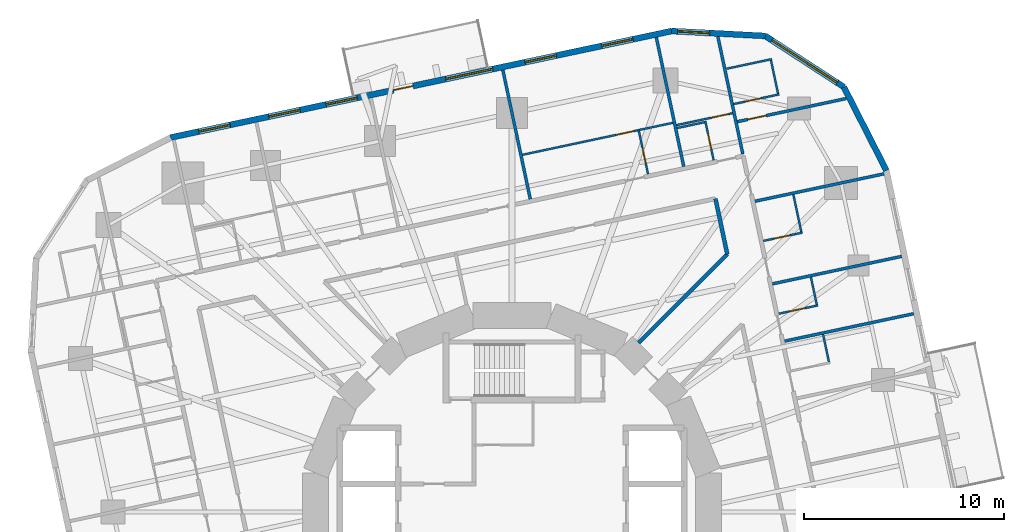
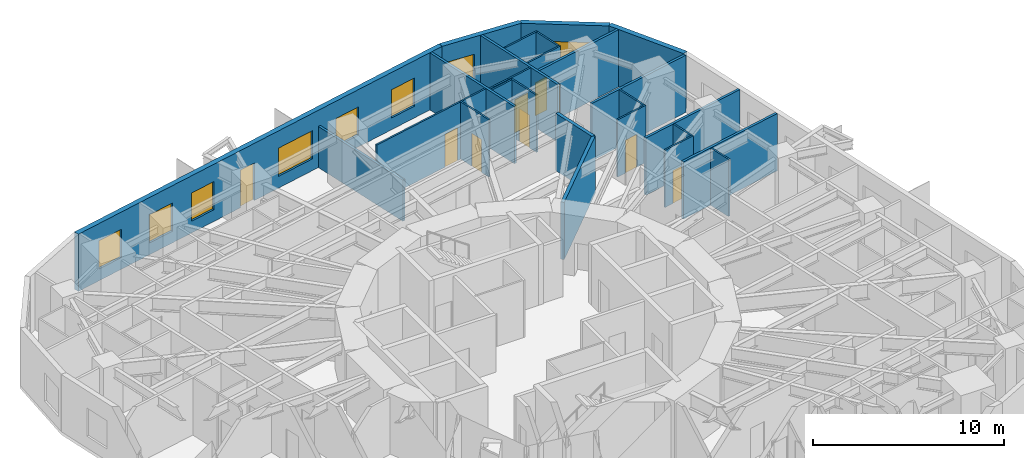
# One storey, part 11 of 14: 27 walls, 9 doors, 8 windows, 17 openings.
"""IFC4 building model written with IfcOpenShell, lengths in metres."""

from ifc_helpers import new_model, si_unit, direction, frame, frame_2d, origin, place, context, subcontext, project, spatial, rectangle, extrude, material, layer, layer_set, type_object, element, fill, save


model = new_model("IFC4")

# Units and contexts
model_context = context("Model", 3, precision=1e-05, world=origin(), true_north=direction((0.0, 1.0)))
body_context = subcontext(model_context, "Body", "Model", "MODEL_VIEW")
ifc_project = project(units=[si_unit("LENGTHUNIT", "METRE"), si_unit("AREAUNIT", "SQUARE_METRE"), si_unit("VOLUMEUNIT", "CUBIC_METRE"), si_unit("PLANEANGLEUNIT", "RADIAN"), si_unit("MASSUNIT", "GRAM", prefix="KILO")], contexts=[model_context])

# Site, building, storey
site_placement = place(None, origin())
site = spatial("IfcSite", under=ifc_project, at=site_placement, CompositionType="ELEMENT")
building_placement = place(site_placement, origin())
building = spatial("IfcBuilding", under=site, at=building_placement, Name="Nakasero Lantern House", CompositionType="ELEMENT")
storey_placement = place(building_placement, frame((0.0, 0.0, 120.39990234375)))
storey = spatial("IfcBuildingStorey", under=building, at=storey_placement, Name="L29", CompositionType="ELEMENT", Elevation=120.39990234375)

# Walls
ifc_material_1 = material(Name="Blockwork", Category="masonry")
ifc_layer_1 = layer(ifc_material_1, 0.199951171875)
ifc_layer_set_1 = layer_set([ifc_layer_1], Name="Corridor wall 200")
wall_type_1 = type_object("IfcWallType", Name="Corridor wall 200", PredefinedType="PARTITIONING", material=ifc_layer_set_1)
wall_1_placement = place(storey_placement, frame((10.75732421875, 12.878662109375, 0.0), z_axis=(0.0, 0.0, 1.0), x_axis=(-0.207908116695, 0.97814836043, 0.0)))
element("IfcWall", 1, at=wall_1_placement, inside=storey, type_object=wall_type_1, Name="Corridor wall L29 IW0-1", PredefinedType="PARTITIONING", context=body_context, shape_type="SweptSolid", body=[
    extrude(rectangle(XDim=2.83935546875, YDim=0.199951171875, at=frame_2d((1.419677734375, 0.0))), origin(), (0.0, 0.0, 1.0), 3.650146484375),
])
wall_2_placement = place(storey_placement, frame((6.334228515625, 8.45556640625, 0.0), z_axis=(0.0, 0.0, 1.0), x_axis=(0.707106781187, 0.707106781187, 0.0)))
element("IfcWall", 2, at=wall_2_placement, inside=storey, type_object=wall_type_1, Name="Corridor wall L29 PS02a", PredefinedType="PARTITIONING", context=body_context, shape_type="SweptSolid", body=[
    extrude(rectangle(XDim=6.255126953125, YDim=0.199951171875, at=frame_2d((3.12744140625, 0.0))), origin(), (0.0, 0.0, 1.0), 3.650146484375),
])
ifc_material_2 = material(Name="Blockwork", Category="masonry")
ifc_layer_2 = layer(ifc_material_2, 0.10009765625)
ifc_layer_set_2 = layer_set([ifc_layer_2], Name="En-suite wall 100")
wall_type_2 = type_object("IfcWallType", Name="En-suite wall 100", PredefinedType="PARTITIONING", material=ifc_layer_set_2)
wall_3_placement = place(storey_placement, frame((15.836669921875, 7.50048828125, 0.0), z_axis=(0.0, 0.0, 1.0), x_axis=(-0.207873355681, 0.978155748334, 0.0)))
element("IfcWall", 3, at=wall_3_placement, inside=storey, type_object=wall_type_2, Name="En-suite wall L29 EE0-05", PredefinedType="PARTITIONING", context=body_context, shape_type="SweptSolid", body=[
    extrude(rectangle(XDim=1.39990234375, YDim=0.10009765625, at=frame_2d((0.699951171875, 0.0))), origin(), (0.0, 0.0, 1.0), 3.650146484375),
])

# Wall, opening, door
wall_4_placement = place(storey_placement, frame((13.331298828125, 9.908447265625, 0.0), z_axis=(0.0, 0.0, 1.0), x_axis=(0.978128127149, 0.208003285743, 0.0)))
wall_4 = element("IfcWall", 4, at=wall_4_placement, inside=storey, type_object=wall_type_2, Name="En-suite wall L29 ES0-06", PredefinedType="PARTITIONING", context=body_context, shape_type="SweptSolid", body=[
    extrude(rectangle(XDim=2.0, YDim=0.10009765625, at=frame_2d((1.0, 0.0))), origin(), (0.0, 0.0, 1.0), 3.650146484375),
])
opening_1_placement = place(wall_4_placement, frame((0.550048828125, 0.0, 0.0)))
opening_1 = element("IfcOpeningElement", 5, at=opening_1_placement, cuts=wall_4, Name="Opening D02", PredefinedType="OPENING", context=body_context, shape_type="SweptSolid", body=[
    extrude(rectangle(XDim=0.800048828125, YDim=2.10009765625, at=frame_2d((0.39990234375, 1.050048828125))), frame((0.0, 0.070068359375, 0.0), z_axis=(0.0, -1.0, 0.0), x_axis=(1.0, 0.0, 0.0)), (0.0, 0.0, 1.0), 0.14013671875),
])
ifc_material_3 = material(Name="Timber C24", Category="wood")
door_type_1 = type_object("IfcDoorType", Name="En-suite door 800", OperationType="SINGLE_SWING_RIGHT", PredefinedType="DOOR", material=ifc_material_3)
door_1_placement = place(opening_1_placement, origin())
door_1 = element("IfcDoor", 6, at=door_1_placement, inside=storey, type_object=door_type_1, Name="Door L29 DE0-06", OperationType="SINGLE_SWING_LEFT", OverallHeight=2.10009765625, OverallWidth=0.800048828125, PredefinedType="DOOR", context=body_context, shape_type="SweptSolid", body=[
    extrude(rectangle(XDim=0.800048828125, YDim=2.10009765625, at=frame_2d((0.39990234375, 1.050048828125))), frame((0.0, 0.02490234375, 0.0), z_axis=(0.0, -1.0, 0.0), x_axis=(1.0, 0.0, 0.0)), (0.0, 0.0, 1.0), 0.050048828125),
])
fill(opening_1, door_1)

# Wall
wall_5_placement = place(storey_placement, frame((15.228271484375, 10.36279296875, 0.0), z_axis=(0.0, 0.0, 1.0), x_axis=(-0.207873355681, 0.978155748334, 0.0)))
element("IfcWall", 7, at=wall_5_placement, inside=storey, type_object=wall_type_2, Name="En-suite wall L29 EE0-06", PredefinedType="PARTITIONING", context=body_context, shape_type="SweptSolid", body=[
    extrude(rectangle(XDim=1.39990234375, YDim=0.10009765625, at=frame_2d((0.699951171875, 0.0))), origin(), (0.0, 0.0, 1.0), 3.650146484375),
])

# Wall, opening, door
wall_6_placement = place(storey_placement, frame((12.55810546875, 13.54541015625, 0.0), z_axis=(0.0, 0.0, 1.0), x_axis=(0.978152955943, 0.207886494942, 0.0)))
wall_6 = element("IfcWall", 8, at=wall_6_placement, inside=storey, type_object=wall_type_2, Name="En-suite wall L29 ES0-07", PredefinedType="PARTITIONING", context=body_context, shape_type="SweptSolid", body=[
    extrude(rectangle(XDim=2.0, YDim=0.10009765625, at=frame_2d((1.0, 0.0))), origin(), (0.0, 0.0, 1.0), 3.650146484375),
])
opening_2_placement = place(wall_6_placement, frame((0.550048828125, 0.0, 0.0)))
opening_2 = element("IfcOpeningElement", 9, at=opening_2_placement, cuts=wall_6, Name="Opening D02", PredefinedType="OPENING", context=body_context, shape_type="SweptSolid", body=[
    extrude(rectangle(XDim=0.800048828125, YDim=2.10009765625, at=frame_2d((0.39990234375, 1.050048828125))), frame((0.0, 0.070068359375, 0.0), z_axis=(0.0, -1.0, 0.0), x_axis=(1.0, 0.0, 0.0)), (0.0, 0.0, 1.0), 0.14013671875),
])
door_2_placement = place(opening_2_placement, origin())
door_2 = element("IfcDoor", 10, at=door_2_placement, inside=storey, type_object=door_type_1, Name="Door L29 DE0-07", OperationType="SINGLE_SWING_LEFT", OverallHeight=2.10009765625, OverallWidth=0.800048828125, PredefinedType="DOOR", context=body_context, shape_type="SweptSolid", body=[
    extrude(rectangle(XDim=0.800048828125, YDim=2.10009765625, at=frame_2d((0.39990234375, 1.050048828125))), frame((0.0, 0.02490234375, 0.0), z_axis=(0.0, -1.0, 0.0), x_axis=(1.0, 0.0, 0.0)), (0.0, 0.0, 1.0), 0.050048828125),
])
fill(opening_2, door_2)

# Wall
wall_7_placement = place(storey_placement, frame((14.455078125, 13.999755859375, 0.0), z_axis=(0.0, 0.0, 1.0), x_axis=(-0.207914082431, 0.978147092378, 0.0)))
element("IfcWall", 11, at=wall_7_placement, inside=storey, type_object=wall_type_2, Name="En-suite wall L29 EE0-07", PredefinedType="PARTITIONING", context=body_context, shape_type="SweptSolid", body=[
    extrude(rectangle(XDim=1.89990234375, YDim=0.10009765625, at=frame_2d((0.949951171875, 0.0))), origin(), (0.0, 0.0, 1.0), 3.650146484375),
])

# Wall, opening, door
wall_8_placement = place(storey_placement, frame((11.069091796875, 20.382568359375, 0.0), z_axis=(0.0, 0.0, 1.0), x_axis=(0.978136257952, 0.207965047255, 0.0)))
wall_8 = element("IfcWall", 12, at=wall_8_placement, inside=storey, type_object=wall_type_2, Name="En-suite wall L29 ES0-08", PredefinedType="PARTITIONING", context=body_context, shape_type="SweptSolid", body=[
    extrude(rectangle(XDim=2.3349609375, YDim=0.10009765625, at=frame_2d((1.16748046875, 0.0))), origin(), (0.0, 0.0, 1.0), 3.650146484375),
])
opening_3_placement = place(wall_8_placement, frame((0.5849609375, 0.0, 0.0)))
opening_3 = element("IfcOpeningElement", 13, at=opening_3_placement, cuts=wall_8, Name="Opening D02", PredefinedType="OPENING", context=body_context, shape_type="SweptSolid", body=[
    extrude(rectangle(XDim=0.800048828125, YDim=2.10009765625, at=frame_2d((0.39990234375, 1.050048828125))), frame((0.0, 0.070068359375, 0.0), z_axis=(0.0, -1.0, 0.0), x_axis=(1.0, 0.0, 0.0)), (0.0, 0.0, 1.0), 0.14013671875),
])
door_3_placement = place(opening_3_placement, origin())
door_3 = element("IfcDoor", 14, at=door_3_placement, inside=storey, type_object=door_type_1, Name="Door L29 DE0-08", OperationType="SINGLE_SWING_LEFT", OverallHeight=2.10009765625, OverallWidth=0.800048828125, PredefinedType="DOOR", context=body_context, shape_type="SweptSolid", body=[
    extrude(rectangle(XDim=0.800048828125, YDim=2.10009765625, at=frame_2d((0.39990234375, 1.050048828125))), frame((0.0, 0.02490234375, 0.0), z_axis=(0.0, -1.0, 0.0), x_axis=(1.0, 0.0, 0.0)), (0.0, 0.0, 1.0), 0.050048828125),
])
fill(opening_3, door_3)

# Walls
wall_9_placement = place(storey_placement, frame((13.293701171875, 20.906494140625, 0.0), z_axis=(0.0, 0.0, 1.0), x_axis=(-0.207812379357, 0.978168704767, 0.0)))
element("IfcWall", 15, at=wall_9_placement, inside=storey, type_object=wall_type_2, Name="En-suite wall L29 EE0-08", PredefinedType="PARTITIONING", context=body_context, shape_type="SweptSolid", body=[
    extrude(rectangle(XDim=1.699951171875, YDim=0.10009765625, at=frame_2d((0.85009765625, 0.0))), origin(), (0.0, 0.0, 1.0), 3.650146484375),
])
wall_10_placement = place(storey_placement, frame((10.72900390625, 22.150634765625, 0.0), z_axis=(0.0, 0.0, 1.0), x_axis=(0.978162897375, 0.207839712757, 0.0)))
element("IfcWall", 16, at=wall_10_placement, inside=storey, type_object=wall_type_2, Name="En-suite wall L29 EV0-08", PredefinedType="PARTITIONING", context=body_context, shape_type="SweptSolid", body=[
    extrude(rectangle(XDim=2.300048828125, YDim=0.10009765625, at=frame_2d((1.14990234375, 0.0))), origin(), (0.0, 0.0, 1.0), 3.650146484375),
])

# Wall, opening, door
wall_11_placement = place(storey_placement, frame((10.07421875, 17.57861328125, 0.0), z_axis=(0.0, 0.0, 1.0), x_axis=(-0.207886494942, 0.978152955943, 0.0)))
wall_11 = element("IfcWall", 17, at=wall_11_placement, inside=storey, type_object=wall_type_2, Name="En-suite wall L29 ES1-00", PredefinedType="PARTITIONING", context=body_context, shape_type="SweptSolid", body=[
    extrude(rectangle(XDim=2.0, YDim=0.10009765625, at=frame_2d((1.0, 0.0))), origin(), (0.0, 0.0, 1.0), 3.650146484375),
])
opening_4_placement = place(wall_11_placement, frame((0.550048828125, 0.0, 0.0)))
opening_4 = element("IfcOpeningElement", 18, at=opening_4_placement, cuts=wall_11, Name="Opening D02", PredefinedType="OPENING", context=body_context, shape_type="SweptSolid", body=[
    extrude(rectangle(XDim=0.800048828125, YDim=2.10009765625, at=frame_2d((0.39990234375, 1.050048828125))), frame((0.0, 0.070068359375, 0.0), z_axis=(0.0, -1.0, 0.0), x_axis=(1.0, 0.0, 0.0)), (0.0, 0.0, 1.0), 0.14013671875),
])
door_4_placement = place(opening_4_placement, origin())
door_4 = element("IfcDoor", 19, at=door_4_placement, inside=storey, type_object=door_type_1, Name="Door L29 DE1-00", OperationType="SINGLE_SWING_LEFT", OverallHeight=2.10009765625, OverallWidth=0.800048828125, PredefinedType="DOOR", context=body_context, shape_type="SweptSolid", body=[
    extrude(rectangle(XDim=0.800048828125, YDim=2.10009765625, at=frame_2d((0.39990234375, 1.050048828125))), frame((0.0, 0.02490234375, 0.0), z_axis=(0.0, -1.0, 0.0), x_axis=(1.0, 0.0, 0.0)), (0.0, 0.0, 1.0), 0.050048828125),
])
fill(opening_4, door_4)

# Wall
wall_12_placement = place(storey_placement, frame((9.619873046875, 19.4755859375, 0.0), z_axis=(0.0, 0.0, 1.0), x_axis=(-0.978155748334, -0.207873355681, 0.0)))
element("IfcWall", 20, at=wall_12_placement, inside=storey, type_object=wall_type_2, Name="En-suite wall L29 EE1-00", PredefinedType="PARTITIONING", context=body_context, shape_type="SweptSolid", body=[
    extrude(rectangle(XDim=1.39990234375, YDim=0.10009765625, at=frame_2d((0.699951171875, 0.0))), origin(), (0.0, 0.0, 1.0), 3.650146484375),
])

# Wall, opening, door
wall_13_placement = place(storey_placement, frame((6.79736328125, 16.882080078125, 0.0), z_axis=(0.0, 0.0, 1.0), x_axis=(-0.207839712757, 0.978162897375, 0.0)))
wall_13 = element("IfcWall", 21, at=wall_13_placement, inside=storey, type_object=wall_type_2, Name="En-suite wall L29 ES1-01", PredefinedType="PARTITIONING", context=body_context, shape_type="SweptSolid", body=[
    extrude(rectangle(XDim=2.300048828125, YDim=0.10009765625, at=frame_2d((1.14990234375, 0.0))), origin(), (0.0, 0.0, 1.0), 3.650146484375),
])
opening_5_placement = place(wall_13_placement, frame((0.550048828125, 0.0, 0.0)))
opening_5 = element("IfcOpeningElement", 22, at=opening_5_placement, cuts=wall_13, Name="Opening D02", PredefinedType="OPENING", context=body_context, shape_type="SweptSolid", body=[
    extrude(rectangle(XDim=0.800048828125, YDim=2.10009765625, at=frame_2d((0.39990234375, 1.050048828125))), frame((0.0, 0.070068359375, 0.0), z_axis=(0.0, -1.0, 0.0), x_axis=(1.0, 0.0, 0.0)), (0.0, 0.0, 1.0), 0.14013671875),
])
door_5_placement = place(opening_5_placement, origin())
door_5 = element("IfcDoor", 23, at=door_5_placement, inside=storey, type_object=door_type_1, Name="Door L29 DE1-01", OperationType="SINGLE_SWING_LEFT", OverallHeight=2.10009765625, OverallWidth=0.800048828125, PredefinedType="DOOR", context=body_context, shape_type="SweptSolid", body=[
    extrude(rectangle(XDim=0.800048828125, YDim=2.10009765625, at=frame_2d((0.39990234375, 1.050048828125))), frame((0.0, 0.02490234375, 0.0), z_axis=(0.0, -1.0, 0.0), x_axis=(1.0, 0.0, 0.0)), (0.0, 0.0, 1.0), 0.050048828125),
])
fill(opening_5, door_5)

# Wall
wall_14_placement = place(storey_placement, frame((8.041259765625, 19.44677734375, 0.0), z_axis=(0.0, 0.0, 1.0), x_axis=(-0.978168704767, -0.207812379357, 0.0)))
element("IfcWall", 24, at=wall_14_placement, inside=storey, type_object=wall_type_2, Name="En-suite wall L29 EE1-01", PredefinedType="PARTITIONING", context=body_context, shape_type="SweptSolid", body=[
    extrude(rectangle(XDim=1.699951171875, YDim=0.10009765625, at=frame_2d((0.85009765625, 0.0))), origin(), (0.0, 0.0, 1.0), 3.650146484375),
])

# Wall, opening, door
wall_15_placement = place(storey_placement, frame((11.022705078125, 19.92724609375, 0.0), z_axis=(0.0, 0.0, 1.0), x_axis=(-0.978143910676, -0.207929050419, 0.0)))
wall_15 = element("IfcWall", 25, at=wall_15_placement, inside=storey, type_object=wall_type_2, Name="En-suite wall L29 EL1-00", PredefinedType="PARTITIONING", context=body_context, shape_type="SweptSolid", body=[
    extrude(rectangle(XDim=2.8662109375, YDim=0.10009765625, at=frame_2d((1.43310546875, 0.0))), origin(), (0.0, 0.0, 1.0), 3.650146484375),
])
opening_6_placement = place(wall_15_placement, frame((0.199951171875, 0.0, 0.0)))
opening_6 = element("IfcOpeningElement", 26, at=opening_6_placement, cuts=wall_15, Name="Opening D17", PredefinedType="OPENING", context=body_context, shape_type="SweptSolid", body=[
    extrude(rectangle(XDim=0.89990234375, YDim=2.10009765625, at=frame_2d((0.449951171875, 1.050048828125))), frame((0.0, 0.070068359375, 0.0), z_axis=(0.0, -1.0, 0.0), x_axis=(1.0, 0.0, 0.0)), (0.0, 0.0, 1.0), 0.14013671875),
])
ifc_material_4 = material(Name="Timber C24", Category="wood")
door_type_2 = type_object("IfcDoorType", Name="Bedroom door FD30S 900", OperationType="SINGLE_SWING_LEFT", PredefinedType="DOOR", material=ifc_material_4)
door_6_placement = place(opening_6_placement, origin())
door_6 = element("IfcDoor", 27, at=door_6_placement, inside=storey, type_object=door_type_2, Name="Door L29 DL1-00", OperationType="SINGLE_SWING_LEFT", OverallHeight=2.10009765625, OverallWidth=0.89990234375, PredefinedType="DOOR", context=body_context, shape_type="SweptSolid", body=[
    extrude(rectangle(XDim=0.89990234375, YDim=2.10009765625, at=frame_2d((0.449951171875, 1.050048828125))), frame((0.0, 0.02490234375, 0.0), z_axis=(0.0, -1.0, 0.0), x_axis=(1.0, 0.0, 0.0)), (0.0, 0.0, 1.0), 0.050048828125),
])
fill(opening_6, door_6)

wall_16_placement = place(storey_placement, frame((6.28076171875, 19.072509765625, 0.0), z_axis=(0.0, 0.0, 1.0), x_axis=(-0.978149894464, -0.207900899374, 0.0)))
wall_16 = element("IfcWall", 28, at=wall_16_placement, inside=storey, type_object=wall_type_2, Name="En-suite wall L29 EL1-01", PredefinedType="PARTITIONING", context=body_context, shape_type="SweptSolid", body=[
    extrude(rectangle(XDim=5.88916015625, YDim=0.10009765625, at=frame_2d((2.944580078125, 0.0))), origin(), (0.0, 0.0, 1.0), 3.650146484375),
])
opening_7_placement = place(wall_16_placement, frame((0.199951171875, 0.0, 0.0)))
opening_7 = element("IfcOpeningElement", 29, at=opening_7_placement, cuts=wall_16, Name="Opening D17", PredefinedType="OPENING", context=body_context, shape_type="SweptSolid", body=[
    extrude(rectangle(XDim=0.89990234375, YDim=2.10009765625, at=frame_2d((0.449951171875, 1.050048828125))), frame((0.0, 0.070068359375, 0.0), z_axis=(0.0, -1.0, 0.0), x_axis=(1.0, 0.0, 0.0)), (0.0, 0.0, 1.0), 0.14013671875),
])
door_7_placement = place(opening_7_placement, origin())
door_7 = element("IfcDoor", 30, at=door_7_placement, inside=storey, type_object=door_type_2, Name="Door L29 DL1-01", OperationType="SINGLE_SWING_LEFT", OverallHeight=2.10009765625, OverallWidth=0.89990234375, PredefinedType="DOOR", context=body_context, shape_type="SweptSolid", body=[
    extrude(rectangle(XDim=0.89990234375, YDim=2.10009765625, at=frame_2d((0.449951171875, 1.050048828125))), frame((0.0, 0.02490234375, 0.0), z_axis=(0.0, -1.0, 0.0), x_axis=(1.0, 0.0, 0.0)), (0.0, 0.0, 1.0), 0.050048828125),
])
fill(opening_7, door_7)

# Wall
ifc_material_5 = material(Name="Aluminium rainscreen on blockwork", Category="masonry")
ifc_layer_3 = layer(ifc_material_5, 0.300048828125)
ifc_layer_set_3 = layer_set([ifc_layer_3], Name="Facade wall 300")
wall_type_3 = type_object("IfcWallType", Name="Facade wall 300", PredefinedType="SOLIDWALL", material=ifc_layer_set_3)
wall_17_placement = place(storey_placement, frame((18.711181640625, 17.063232421875, 0.0), z_axis=(0.0, 0.0, 1.0), x_axis=(-0.453975745332, 0.89101404178, 0.0)))
element("IfcWall", 31, at=wall_17_placement, inside=storey, type_object=wall_type_3, Name="Facade wall L29 FW0C1", PredefinedType="SOLIDWALL", context=body_context, shape_type="SweptSolid", body=[
    extrude(rectangle(XDim=4.6845703125, YDim=0.300048828125, at=frame_2d((2.34228515625, 0.0))), origin(), (0.0, 0.0, 1.0), 3.650146484375),
])

# Wall, opening, window
wall_18_placement = place(storey_placement, frame((16.58447265625, 21.2373046875, 0.0), z_axis=(0.0, 0.0, 1.0), x_axis=(-0.838692381994, 0.544605442853, 0.0)))
wall_18 = element("IfcWall", 32, at=wall_18_placement, inside=storey, type_object=wall_type_3, Name="Facade wall L29 FW0C2", PredefinedType="SOLIDWALL", context=body_context, shape_type="SweptSolid", body=[
    extrude(rectangle(XDim=4.6845703125, YDim=0.300048828125, at=frame_2d((2.34228515625, 0.0))), origin(), (0.0, 0.0, 1.0), 3.650146484375),
])
opening_8_placement = place(wall_18_placement, frame((0.39990234375, 0.0, 0.75)))
opening_8 = element("IfcOpeningElement", 33, at=opening_8_placement, cuts=wall_18, Name="Opening W238", PredefinedType="OPENING", context=body_context, shape_type="SweptSolid", body=[
    extrude(rectangle(XDim=3.885009765625, YDim=1.800048828125, at=frame_2d((1.9423828125, 0.89990234375))), frame((0.0, 0.169921875, 0.0), z_axis=(0.0, -1.0, 0.0), x_axis=(1.0, 0.0, 0.0)), (0.0, 0.0, 1.0), 0.340087890625),
])
ifc_material_6 = material(Name="Aluminium 6063-T6 and glass", Category="aluminium")
window_type_1 = type_object("IfcWindowType", Name="Corner window 3885x1800", PartitioningType="SINGLE_PANEL", PredefinedType="WINDOW", material=ifc_material_6)
window_1_placement = place(opening_8_placement, origin())
window_1 = element("IfcWindow", 34, at=window_1_placement, inside=storey, type_object=window_type_1, Name="Window L29 WC0", OverallHeight=1.800048828125, OverallWidth=3.885009765625, PartitioningType="SINGLE_PANEL", PredefinedType="WINDOW", context=body_context, shape_type="SweptSolid", body=[
    extrude(rectangle(XDim=3.885009765625, YDim=1.800048828125, at=frame_2d((1.9423828125, 0.89990234375))), frame((0.0, 0.030029296875, 0.0), z_axis=(0.0, -1.0, 0.0), x_axis=(1.0, 0.0, 0.0)), (0.0, 0.0, 1.0), 0.06005859375),
])
fill(opening_8, window_1)

wall_19_placement = place(storey_placement, frame((12.655517578125, 23.78857421875, 0.0), z_axis=(0.0, 0.0, 1.0), x_axis=(-0.998630039879, 0.052326317, 0.0)))
wall_19 = element("IfcWall", 35, at=wall_19_placement, inside=storey, type_object=wall_type_3, Name="Facade wall L29 FW0C3", PredefinedType="SOLIDWALL", context=body_context, shape_type="SweptSolid", body=[
    extrude(rectangle(XDim=4.684326171875, YDim=0.300048828125, at=frame_2d((2.34228515625, 0.0))), origin(), (0.0, 0.0, 1.0), 3.650146484375),
])
opening_9_placement = place(wall_19_placement, frame((2.784912109375, 0.0, 0.75)))
opening_9 = element("IfcOpeningElement", 36, at=opening_9_placement, cuts=wall_19, Name="Opening W01", PredefinedType="OPENING", context=body_context, shape_type="SweptSolid", body=[
    extrude(rectangle(XDim=1.60009765625, YDim=1.800048828125, at=frame_2d((0.800048828125, 0.89990234375))), frame((0.0, 0.169921875, 0.0), z_axis=(0.0, -1.0, 0.0), x_axis=(1.0, 0.0, 0.0)), (0.0, 0.0, 1.0), 0.340087890625),
])
ifc_material_7 = material(Name="Aluminium 6063-T6 and glass", Category="aluminium")
window_type_2 = type_object("IfcWindowType", Name="Bedroom window 1600x1800", PartitioningType="SINGLE_PANEL", PredefinedType="WINDOW", material=ifc_material_7)
window_2_placement = place(opening_9_placement, origin())
window_2 = element("IfcWindow", 37, at=window_2_placement, inside=storey, type_object=window_type_2, Name="Window L29 WN1-00", OverallHeight=1.800048828125, OverallWidth=1.60009765625, PartitioningType="SINGLE_PANEL", PredefinedType="WINDOW", context=body_context, shape_type="SweptSolid", body=[
    extrude(rectangle(XDim=1.60009765625, YDim=1.800048828125, at=frame_2d((0.800048828125, 0.89990234375))), frame((0.0, 0.030029296875, 0.0), z_axis=(0.0, -1.0, 0.0), x_axis=(1.0, 0.0, 0.0)), (0.0, 0.0, 1.0), 0.06005859375),
])
fill(opening_9, window_2)

# Wall, openings, door, windows
wall_20_placement = place(storey_placement, frame((7.9775390625, 24.03369140625, 0.0), z_axis=(0.0, 0.0, 1.0), x_axis=(-0.978148160964, -0.207909055127, 0.0)))
wall_20 = element("IfcWall", 38, at=wall_20_placement, inside=storey, type_object=wall_type_3, Name="Facade wall L29 FW1S", PredefinedType="SOLIDWALL", context=body_context, shape_type="SweptSolid", body=[
    extrude(rectangle(XDim=25.60009765625, YDim=0.300048828125, at=frame_2d((12.800048828125, 0.0))), origin(), (0.0, 0.0, 1.0), 3.650146484375),
])
opening_10_placement = place(wall_20_placement, frame((1.975830078125, 0.0, 0.75)))
opening_10 = element("IfcOpeningElement", 39, at=opening_10_placement, cuts=wall_20, Name="Opening W01", PredefinedType="OPENING", context=body_context, shape_type="SweptSolid", body=[
    extrude(rectangle(XDim=1.60009765625, YDim=1.800048828125, at=frame_2d((0.800048828125, 0.89990234375))), frame((0.0, 0.169921875, 0.0), z_axis=(0.0, -1.0, 0.0), x_axis=(1.0, 0.0, 0.0)), (0.0, 0.0, 1.0), 0.340087890625),
])
opening_11_placement = place(wall_20_placement, frame((5.8955078125, 0.0, 0.75)))
opening_11 = element("IfcOpeningElement", 40, at=opening_11_placement, cuts=wall_20, Name="Opening W01", PredefinedType="OPENING", context=body_context, shape_type="SweptSolid", body=[
    extrude(rectangle(XDim=1.60009765625, YDim=1.800048828125, at=frame_2d((0.800048828125, 0.89990234375))), frame((0.0, 0.169921875, 0.0), z_axis=(0.0, -1.0, 0.0), x_axis=(1.0, 0.0, 0.0)), (0.0, 0.0, 1.0), 0.340087890625),
])
opening_12_placement = place(wall_20_placement, frame((16.0556640625, 0.0, 0.75)))
opening_12 = element("IfcOpeningElement", 41, at=opening_12_placement, cuts=wall_20, Name="Opening W01", PredefinedType="OPENING", context=body_context, shape_type="SweptSolid", body=[
    extrude(rectangle(XDim=1.60009765625, YDim=1.800048828125, at=frame_2d((0.800048828125, 0.89990234375))), frame((0.0, 0.169921875, 0.0), z_axis=(0.0, -1.0, 0.0), x_axis=(1.0, 0.0, 0.0)), (0.0, 0.0, 1.0), 0.340087890625),
])
opening_13_placement = place(wall_20_placement, frame((18.982177734375, 0.0, 0.75)))
opening_13 = element("IfcOpeningElement", 42, at=opening_13_placement, cuts=wall_20, Name="Opening W01", PredefinedType="OPENING", context=body_context, shape_type="SweptSolid", body=[
    extrude(rectangle(XDim=1.60009765625, YDim=1.800048828125, at=frame_2d((0.800048828125, 0.89990234375))), frame((0.0, 0.169921875, 0.0), z_axis=(0.0, -1.0, 0.0), x_axis=(1.0, 0.0, 0.0)), (0.0, 0.0, 1.0), 0.340087890625),
])
opening_14_placement = place(wall_20_placement, frame((22.554443359375, 0.0, 0.75)))
opening_14 = element("IfcOpeningElement", 43, at=opening_14_placement, cuts=wall_20, Name="Opening W01", PredefinedType="OPENING", context=body_context, shape_type="SweptSolid", body=[
    extrude(rectangle(XDim=1.60009765625, YDim=1.800048828125, at=frame_2d((0.800048828125, 0.89990234375))), frame((0.0, 0.169921875, 0.0), z_axis=(0.0, -1.0, 0.0), x_axis=(1.0, 0.0, 0.0)), (0.0, 0.0, 1.0), 0.340087890625),
])
opening_15_placement = place(wall_20_placement, frame((9.139404296875, 0.0, 0.75)))
opening_15 = element("IfcOpeningElement", 44, at=opening_15_placement, cuts=wall_20, Name="Opening W03", PredefinedType="OPENING", context=body_context, shape_type="SweptSolid", body=[
    extrude(rectangle(XDim=2.39990234375, YDim=1.800048828125, at=frame_2d((1.199951171875, 0.89990234375))), frame((0.0, 0.169921875, 0.0), z_axis=(0.0, -1.0, 0.0), x_axis=(1.0, 0.0, 0.0)), (0.0, 0.0, 1.0), 0.340087890625),
])
opening_16_placement = place(wall_20_placement, frame((13.208251953125, 0.0, 0.0)))
opening_16 = element("IfcOpeningElement", 45, at=opening_16_placement, cuts=wall_20, Name="Opening D04", PredefinedType="OPENING", context=body_context, shape_type="SweptSolid", body=[
    extrude(rectangle(XDim=1.0, YDim=2.39990234375, at=frame_2d((0.5, 1.199951171875))), frame((0.0, 0.169921875, 0.0), z_axis=(0.0, -1.0, 0.0), x_axis=(1.0, 0.0, 0.0)), (0.0, 0.0, 1.0), 0.340087890625),
])
ifc_material_8 = material(Name="Aluminium 6063-T6 and glass", Category="aluminium")
door_type_3 = type_object("IfcDoorType", Name="Balcony door 1000x2400", OperationType="SINGLE_SWING_RIGHT", PredefinedType="DOOR", material=ifc_material_8)
door_8_placement = place(opening_16_placement, origin())
door_8 = element("IfcDoor", 46, at=door_8_placement, inside=storey, type_object=door_type_3, Name="Balcony door L29 DB1", OperationType="SINGLE_SWING_RIGHT", OverallHeight=2.39990234375, OverallWidth=1.0, PredefinedType="DOOR", context=body_context, shape_type="SweptSolid", body=[
    extrude(rectangle(XDim=1.0, YDim=2.39990234375, at=frame_2d((0.5, 1.199951171875))), frame((0.0, 0.02490234375, 0.0), z_axis=(0.0, -1.0, 0.0), x_axis=(1.0, 0.0, 0.0)), (0.0, 0.0, 1.0), 0.050048828125),
])
fill(opening_16, door_8)
window_3_placement = place(opening_10_placement, origin())
window_3 = element("IfcWindow", 47, at=window_3_placement, inside=storey, type_object=window_type_2, Name="Window L29 WN1-01", OverallHeight=1.800048828125, OverallWidth=1.60009765625, PartitioningType="SINGLE_PANEL", PredefinedType="WINDOW", context=body_context, shape_type="SweptSolid", body=[
    extrude(rectangle(XDim=1.60009765625, YDim=1.800048828125, at=frame_2d((0.800048828125, 0.89990234375))), frame((0.0, 0.030029296875, 0.0), z_axis=(0.0, -1.0, 0.0), x_axis=(1.0, 0.0, 0.0)), (0.0, 0.0, 1.0), 0.06005859375),
])
fill(opening_10, window_3)
window_4_placement = place(opening_11_placement, origin())
window_4 = element("IfcWindow", 48, at=window_4_placement, inside=storey, type_object=window_type_2, Name="Window L29 WN1-02", OverallHeight=1.800048828125, OverallWidth=1.60009765625, PartitioningType="SINGLE_PANEL", PredefinedType="WINDOW", context=body_context, shape_type="SweptSolid", body=[
    extrude(rectangle(XDim=1.60009765625, YDim=1.800048828125, at=frame_2d((0.800048828125, 0.89990234375))), frame((0.0, 0.030029296875, 0.0), z_axis=(0.0, -1.0, 0.0), x_axis=(1.0, 0.0, 0.0)), (0.0, 0.0, 1.0), 0.06005859375),
])
fill(opening_11, window_4)
window_5_placement = place(opening_12_placement, origin())
window_5 = element("IfcWindow", 49, at=window_5_placement, inside=storey, type_object=window_type_2, Name="Window L29 WN1-05", OverallHeight=1.800048828125, OverallWidth=1.60009765625, PartitioningType="SINGLE_PANEL", PredefinedType="WINDOW", context=body_context, shape_type="SweptSolid", body=[
    extrude(rectangle(XDim=1.60009765625, YDim=1.800048828125, at=frame_2d((0.800048828125, 0.89990234375))), frame((0.0, 0.030029296875, 0.0), z_axis=(0.0, -1.0, 0.0), x_axis=(1.0, 0.0, 0.0)), (0.0, 0.0, 1.0), 0.06005859375),
])
fill(opening_12, window_5)
window_6_placement = place(opening_13_placement, origin())
window_6 = element("IfcWindow", 50, at=window_6_placement, inside=storey, type_object=window_type_2, Name="Window L29 WN1-06", OverallHeight=1.800048828125, OverallWidth=1.60009765625, PartitioningType="SINGLE_PANEL", PredefinedType="WINDOW", context=body_context, shape_type="SweptSolid", body=[
    extrude(rectangle(XDim=1.60009765625, YDim=1.800048828125, at=frame_2d((0.800048828125, 0.89990234375))), frame((0.0, 0.030029296875, 0.0), z_axis=(0.0, -1.0, 0.0), x_axis=(1.0, 0.0, 0.0)), (0.0, 0.0, 1.0), 0.06005859375),
])
fill(opening_13, window_6)
window_7_placement = place(opening_14_placement, origin())
window_7 = element("IfcWindow", 51, at=window_7_placement, inside=storey, type_object=window_type_2, Name="Window L29 WN1-07", OverallHeight=1.800048828125, OverallWidth=1.60009765625, PartitioningType="SINGLE_PANEL", PredefinedType="WINDOW", context=body_context, shape_type="SweptSolid", body=[
    extrude(rectangle(XDim=1.60009765625, YDim=1.800048828125, at=frame_2d((0.800048828125, 0.89990234375))), frame((0.0, 0.030029296875, 0.0), z_axis=(0.0, -1.0, 0.0), x_axis=(1.0, 0.0, 0.0)), (0.0, 0.0, 1.0), 0.06005859375),
])
fill(opening_14, window_7)
ifc_material_9 = material(Name="Aluminium 6063-T6 and glass", Category="aluminium")
window_type_3 = type_object("IfcWindowType", Name="Lounge window 2400x1800", PartitioningType="SINGLE_PANEL", PredefinedType="WINDOW", material=ifc_material_9)
window_8_placement = place(opening_15_placement, origin())
window_8 = element("IfcWindow", 52, at=window_8_placement, inside=storey, type_object=window_type_3, Name="Window L29 WK1", OverallHeight=1.800048828125, OverallWidth=2.39990234375, PartitioningType="SINGLE_PANEL", PredefinedType="WINDOW", context=body_context, shape_type="SweptSolid", body=[
    extrude(rectangle(XDim=2.39990234375, YDim=1.800048828125, at=frame_2d((1.199951171875, 0.89990234375))), frame((0.0, 0.030029296875, 0.0), z_axis=(0.0, -1.0, 0.0), x_axis=(1.0, 0.0, 0.0)), (0.0, 0.0, 1.0), 0.06005859375),
])
fill(opening_15, window_8)

# Walls
ifc_material_10 = material(Name="Blockwork", Category="masonry")
ifc_layer_4 = layer(ifc_material_10, 0.14990234375)
ifc_layer_set_4 = layer_set([ifc_layer_4], Name="Party wall 150")
wall_type_4 = type_object("IfcWallType", Name="Party wall 150", PredefinedType="PARTITIONING", material=ifc_layer_set_4)
for number, where, z_axis, x_axis, name in (
    (53, (13.62255859375, 8.537841796875, 0.0), (0.0, 0.0, 1.0), (0.97815236361, 0.207889281984, 0.0), "Party wall L29 PW0-06"),
    (54, (13.01416015625, 11.400146484375, 0.0), (0.0, 0.0, 1.0), (0.978144841009, 0.207924673876, 0.0), "Party wall L29 PW0-07"),
    (55, (12.13720703125, 15.526123046875, 0.0), (0.0, 0.0, 1.0), (0.978144841009, 0.207924673876, 0.0), "Party wall L29 PW0-08"),
):
    element("IfcWall", number, at=place(storey_placement, frame(where, z_axis=z_axis, x_axis=x_axis)), inside=storey, type_object=wall_type_4, Name=name, PredefinedType="PARTITIONING", context=body_context, shape_type="SweptSolid", body=[
        extrude(rectangle(XDim=6.60009765625, YDim=0.14990234375, at=frame_2d((3.300048828125, 0.0))), origin(), (0.0, 0.0, 1.0), 3.650146484375),
    ])

# Wall, opening, door
wall_21_placement = place(storey_placement, frame((11.256103515625, 19.502197265625, 0.0), z_axis=(0.0, 0.0, 1.0), x_axis=(0.978142361087, 0.207936339891, 0.0)))
wall_21 = element("IfcWall", 56, at=wall_21_placement, inside=storey, type_object=wall_type_4, Name="Party wall L29 PC0", PredefinedType="PARTITIONING", context=body_context, shape_type="SweptSolid", body=[
    extrude(rectangle(XDim=5.570068359375, YDim=0.14990234375, at=frame_2d((2.78515625, 0.0))), origin(), (0.0, 0.0, 1.0), 3.650146484375),
])
opening_17_placement = place(wall_21_placement, frame((0.534912109375, 0.0, 0.0)))
opening_17 = element("IfcOpeningElement", 57, at=opening_17_placement, cuts=wall_21, Name="Opening D01", PredefinedType="OPENING", context=body_context, shape_type="SweptSolid", body=[
    extrude(rectangle(XDim=0.949951171875, YDim=2.10009765625, at=frame_2d((0.47509765625, 1.050048828125))), frame((0.0, 0.094970703125, 0.0), z_axis=(0.0, -1.0, 0.0), x_axis=(1.0, 0.0, 0.0)), (0.0, 0.0, 1.0), 0.18994140625),
])
ifc_material_11 = material(Name="Timber C24", Category="wood")
door_type_4 = type_object("IfcDoorType", Name="Bedroom door FD30S 950", OperationType="SINGLE_SWING_LEFT", PredefinedType="DOOR", material=ifc_material_11)
door_9_placement = place(opening_17_placement, origin())
door_9 = element("IfcDoor", 58, at=door_9_placement, inside=storey, type_object=door_type_4, Name="Door L29 DC0", OperationType="SINGLE_SWING_LEFT", OverallHeight=2.10009765625, OverallWidth=0.949951171875, PredefinedType="DOOR", context=body_context, shape_type="SweptSolid", body=[
    extrude(rectangle(XDim=0.949951171875, YDim=2.10009765625, at=frame_2d((0.47509765625, 1.050048828125))), frame((0.0, 0.02490234375, 0.0), z_axis=(0.0, -1.0, 0.0), x_axis=(1.0, 0.0, 0.0)), (0.0, 0.0, 1.0), 0.050048828125),
])
fill(opening_17, door_9)

# Walls
wall_22_placement = place(storey_placement, frame((11.53271484375, 17.888671875, 0.0), z_axis=(0.0, 0.0, 1.0), x_axis=(-0.207886494942, 0.978152955943, 0.0)))
element("IfcWall", 59, at=wall_22_placement, inside=storey, type_object=wall_type_4, Name="Party wall L29 PW1-00", PredefinedType="PARTITIONING", context=body_context, shape_type="SweptSolid", body=[
    extrude(rectangle(XDim=6.0, YDim=0.14990234375, at=frame_2d((3.0, 0.0))), origin(), (0.0, 0.0, 1.0), 3.650146484375),
])
wall_23_placement = place(storey_placement, frame((8.58251953125, 17.26171875, 0.0), z_axis=(0.0, 0.0, 1.0), x_axis=(-0.207932197326, 0.978143241716, 0.0)))
element("IfcWall", 60, at=wall_23_placement, inside=storey, type_object=wall_type_4, Name="Party wall L29 PW1-01", PredefinedType="PARTITIONING", context=body_context, shape_type="SweptSolid", body=[
    extrude(rectangle(XDim=6.599853515625, YDim=0.14990234375, at=frame_2d((3.2998046875, 0.0))), origin(), (0.0, 0.0, 1.0), 3.650146484375),
])
wall_24_placement = place(storey_placement, frame((0.914794921875, 15.6318359375, 0.0), z_axis=(0.0, 0.0, 1.0), x_axis=(-0.207924673876, 0.978144841009, 0.0)))
element("IfcWall", 61, at=wall_24_placement, inside=storey, type_object=wall_type_4, Name="Party wall L29 PW1-03", PredefinedType="PARTITIONING", context=body_context, shape_type="SweptSolid", body=[
    extrude(rectangle(XDim=6.60009765625, YDim=0.14990234375, at=frame_2d((3.300048828125, 0.0))), origin(), (0.0, 0.0, 1.0), 2.6240234375),
])

save(model, "model.ifc")
